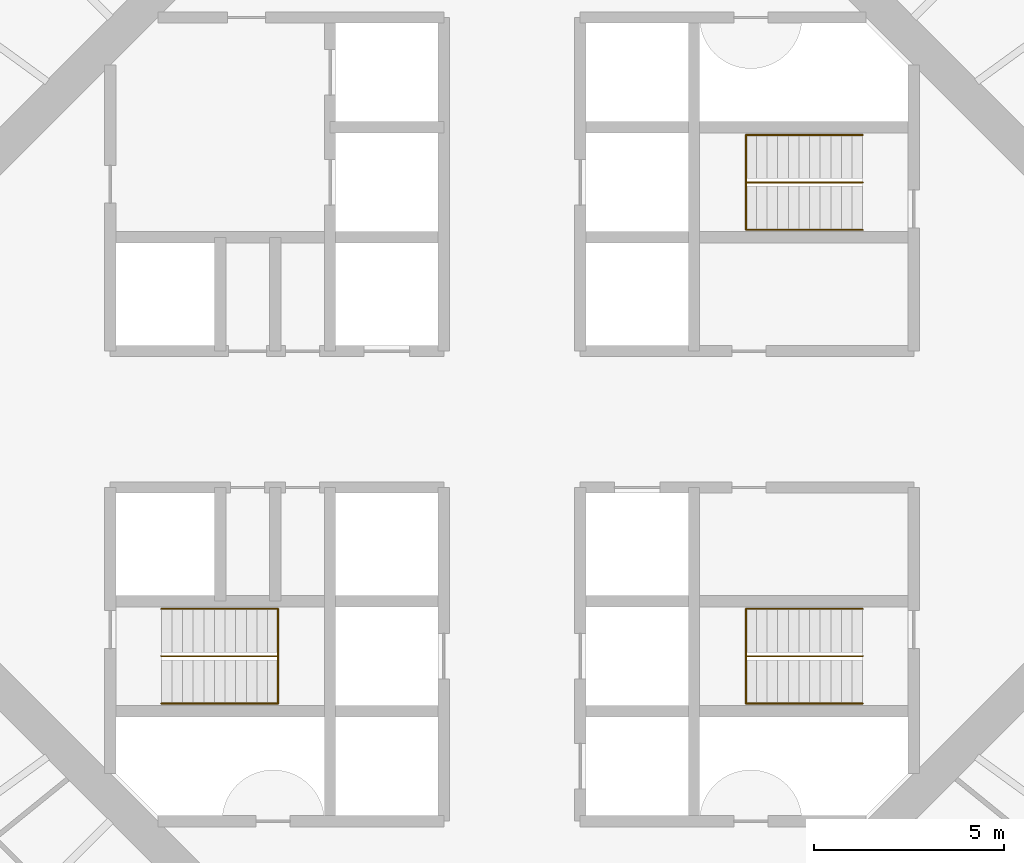
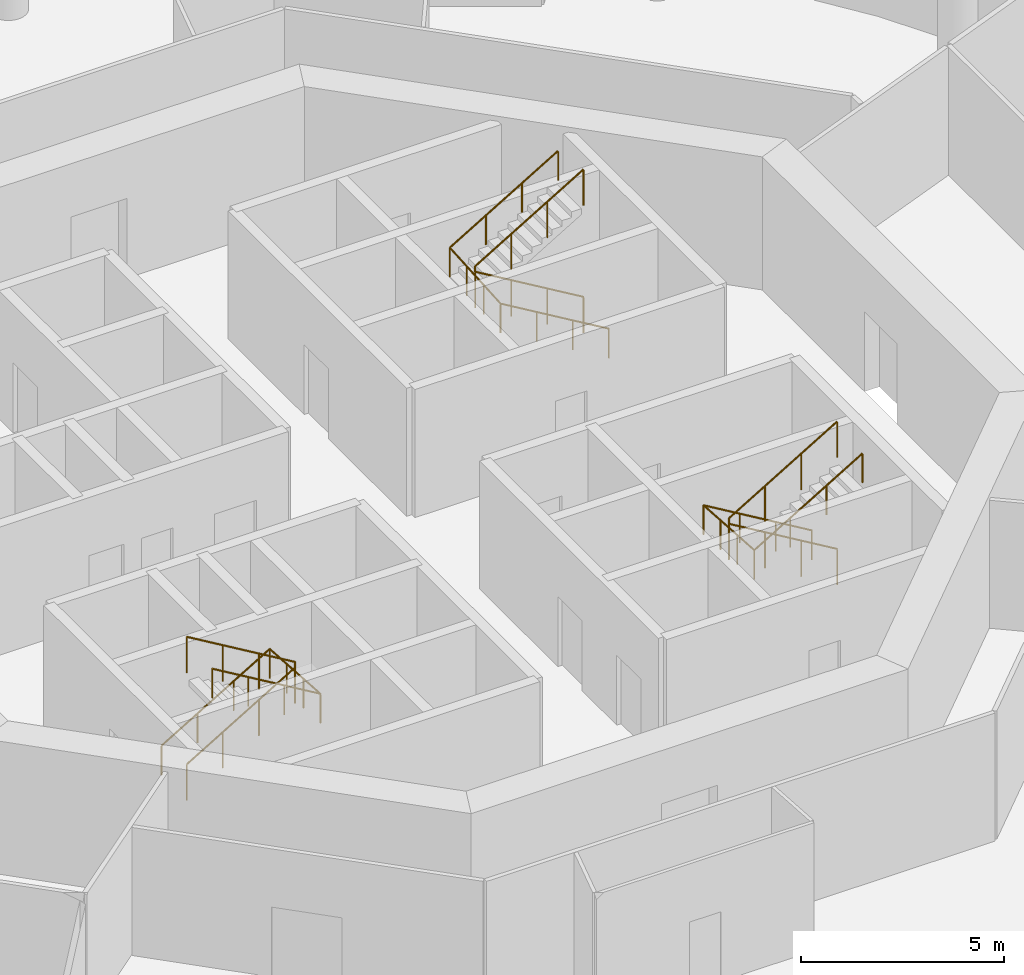
# One storey, part 12 of 12: 6 railings.
"""IFC4 building model written with IfcOpenShell, lengths in metres."""

from ifc_helpers import new_model, si_unit, direction, frame, origin, origin_2d, place, context, subcontext, project, spatial, circle, extrude, material, type_object, element, save


model = new_model("IFC4")

# Units and contexts
model_context = context("Model", 3, precision=1e-05, world=origin(), true_north=direction((0.0, 1.0)))
body_context = subcontext(model_context, "Body", "Model", "MODEL_VIEW")
ifc_project = project(units=[si_unit("LENGTHUNIT", "METRE"), si_unit("AREAUNIT", "SQUARE_METRE"), si_unit("VOLUMEUNIT", "CUBIC_METRE"), si_unit("PLANEANGLEUNIT", "RADIAN"), si_unit("MASSUNIT", "GRAM", prefix="KILO")], contexts=[model_context])

# Site, building, storey
site_placement = place(None, origin())
site = spatial("IfcSite", under=ifc_project, at=site_placement, CompositionType="ELEMENT")
building_placement = place(site_placement, origin())
building = spatial("IfcBuilding", under=site, at=building_placement, Name="Entoto Ring Tower", CompositionType="ELEMENT")
storey_placement = place(building_placement, frame((0.0, 0.0, 246.0)))
storey = spatial("IfcBuildingStorey", under=building, at=storey_placement, Name="L56", CompositionType="ELEMENT", Elevation=246.0)

# Railings
ifc_material_1 = material(Name="Steel S275", Category="steel")
railing_type_1 = type_object("IfcRailingType", Name="Stair guard 1100 mm steel", PredefinedType="GUARDRAIL", material=ifc_material_1)
railing_1_placement = place(storey_placement, frame((99.25, 86.25, 0.166748046875)))
element("IfcRailing", 1, at=railing_1_placement, inside=storey, type_object=railing_type_1, Name="Guard ST1", PredefinedType="GUARDRAIL", context=body_context, shape_type="SweptSolid", body=[
    extrude(circle(Radius=0.02392578125, at=origin_2d()), frame((0.0, 0.0, 1.076171875), z_axis=(-0.859308565015, 0.0, 0.511457515432), x_axis=(0.0, -1.0, 0.0)), (0.0, 0.0, 1.0), 3.58447265625),
    extrude(circle(Radius=0.02392578125, at=origin_2d()), frame((-3.080078125, 0.0, 2.9091796875), z_axis=(0.0, 0.0, 1.0), x_axis=(1.0, 0.0, 0.0)), (0.0, 0.0, 1.0), 0.166748046875),
    extrude(circle(Radius=0.02392578125, at=origin_2d()), frame((-3.080078125, 0.0, 3.076171875), z_axis=(0.859308565015, 0.0, 0.511457515432), x_axis=(0.0, 1.0, 0.0)), (0.0, 0.0, 1.0), 3.58447265625),
    extrude(circle(Radius=0.02099609375, at=origin_2d()), origin(), (0.0, 0.0, 1.0), 1.052001953125),
    extrude(circle(Radius=0.02099609375, at=origin_2d()), frame((-1.026611328125, 0.0, 0.611083984375)), (0.0, 0.0, 1.0), 1.052001953125),
    extrude(circle(Radius=0.02099609375, at=origin_2d()), frame((-2.053466796875, 0.0, 1.22216796875)), (0.0, 0.0, 1.0), 1.052001953125),
    extrude(circle(Radius=0.02099609375, at=origin_2d()), frame((-3.080078125, 0.0, 1.833251953125)), (0.0, 0.0, 1.0), 1.052001953125),
    extrude(circle(Radius=0.02099609375, at=origin_2d()), frame((-3.080078125, 0.0, 2.0)), (0.0, 0.0, 1.0), 1.052001953125),
    extrude(circle(Radius=0.02099609375, at=origin_2d()), frame((-2.053466796875, 0.0, 2.611083984375)), (0.0, 0.0, 1.0), 1.052001953125),
    extrude(circle(Radius=0.02099609375, at=origin_2d()), frame((-1.026611328125, 0.0, 3.22216796875)), (0.0, 0.0, 1.0), 1.052001953125),
    extrude(circle(Radius=0.02099609375, at=origin_2d()), frame((0.0, 0.0, 3.833251953125)), (0.0, 0.0, 1.0), 1.052001953125),
])
railing_2_placement = place(storey_placement, frame((80.75, 73.75, 0.166748046875)))
element("IfcRailing", 2, at=railing_2_placement, inside=storey, type_object=railing_type_1, Name="Guard ST2", PredefinedType="GUARDRAIL", context=body_context, shape_type="SweptSolid", body=[
    extrude(circle(Radius=0.02392578125, at=origin_2d()), frame((0.0, 0.0, 1.076171875), z_axis=(0.859308565015, 0.0, 0.511457515432), x_axis=(0.0, 1.0, 0.0)), (0.0, 0.0, 1.0), 3.58447265625),
    extrude(circle(Radius=0.02392578125, at=origin_2d()), frame((3.080078125, 0.0, 2.9091796875), z_axis=(0.0, 0.0, 1.0), x_axis=(1.0, 0.0, 0.0)), (0.0, 0.0, 1.0), 0.166748046875),
    extrude(circle(Radius=0.02392578125, at=origin_2d()), frame((3.080078125, 0.0, 3.076171875), z_axis=(-0.859308565015, 0.0, 0.511457515432), x_axis=(0.0, -1.0, 0.0)), (0.0, 0.0, 1.0), 3.58447265625),
    extrude(circle(Radius=0.02099609375, at=origin_2d()), origin(), (0.0, 0.0, 1.0), 1.052001953125),
    extrude(circle(Radius=0.02099609375, at=origin_2d()), frame((1.026611328125, 0.0, 0.611083984375)), (0.0, 0.0, 1.0), 1.052001953125),
    extrude(circle(Radius=0.02099609375, at=origin_2d()), frame((2.053466796875, 0.0, 1.22216796875)), (0.0, 0.0, 1.0), 1.052001953125),
    extrude(circle(Radius=0.02099609375, at=origin_2d()), frame((3.080078125, 0.0, 1.833251953125)), (0.0, 0.0, 1.0), 1.052001953125),
    extrude(circle(Radius=0.02099609375, at=origin_2d()), frame((3.080078125, 0.0, 2.0)), (0.0, 0.0, 1.0), 1.052001953125),
    extrude(circle(Radius=0.02099609375, at=origin_2d()), frame((2.053466796875, 0.0, 2.611083984375)), (0.0, 0.0, 1.0), 1.052001953125),
    extrude(circle(Radius=0.02099609375, at=origin_2d()), frame((1.026611328125, 0.0, 3.22216796875)), (0.0, 0.0, 1.0), 1.052001953125),
    extrude(circle(Radius=0.02099609375, at=origin_2d()), frame((0.0, 0.0, 3.833251953125)), (0.0, 0.0, 1.0), 1.052001953125),
])
railing_3_placement = place(storey_placement, frame((99.25, 73.75, 0.166748046875)))
element("IfcRailing", 3, at=railing_3_placement, inside=storey, type_object=railing_type_1, Name="Guard ST3", PredefinedType="GUARDRAIL", context=body_context, shape_type="SweptSolid", body=[
    extrude(circle(Radius=0.02392578125, at=origin_2d()), frame((0.0, 0.0, 1.076171875), z_axis=(-0.859308565015, 0.0, 0.511457515432), x_axis=(0.0, -1.0, 0.0)), (0.0, 0.0, 1.0), 3.58447265625),
    extrude(circle(Radius=0.02392578125, at=origin_2d()), frame((-3.080078125, 0.0, 2.9091796875), z_axis=(0.0, 0.0, 1.0), x_axis=(1.0, 0.0, 0.0)), (0.0, 0.0, 1.0), 0.166748046875),
    extrude(circle(Radius=0.02392578125, at=origin_2d()), frame((-3.080078125, 0.0, 3.076171875), z_axis=(0.859308565015, 0.0, 0.511457515432), x_axis=(0.0, 1.0, 0.0)), (0.0, 0.0, 1.0), 3.58447265625),
    extrude(circle(Radius=0.02099609375, at=origin_2d()), origin(), (0.0, 0.0, 1.0), 1.052001953125),
    extrude(circle(Radius=0.02099609375, at=origin_2d()), frame((-1.026611328125, 0.0, 0.611083984375)), (0.0, 0.0, 1.0), 1.052001953125),
    extrude(circle(Radius=0.02099609375, at=origin_2d()), frame((-2.053466796875, 0.0, 1.22216796875)), (0.0, 0.0, 1.0), 1.052001953125),
    extrude(circle(Radius=0.02099609375, at=origin_2d()), frame((-3.080078125, 0.0, 1.833251953125)), (0.0, 0.0, 1.0), 1.052001953125),
    extrude(circle(Radius=0.02099609375, at=origin_2d()), frame((-3.080078125, 0.0, 2.0)), (0.0, 0.0, 1.0), 1.052001953125),
    extrude(circle(Radius=0.02099609375, at=origin_2d()), frame((-2.053466796875, 0.0, 2.611083984375)), (0.0, 0.0, 1.0), 1.052001953125),
    extrude(circle(Radius=0.02099609375, at=origin_2d()), frame((-1.026611328125, 0.0, 3.22216796875)), (0.0, 0.0, 1.0), 1.052001953125),
    extrude(circle(Radius=0.02099609375, at=origin_2d()), frame((0.0, 0.0, 3.833251953125)), (0.0, 0.0, 1.0), 1.052001953125),
])
ifc_material_2 = material(Name="Steel S275", Category="steel")
railing_type_2 = type_object("IfcRailingType", Name="Stair handrail 900 mm steel", PredefinedType="HANDRAIL", material=ifc_material_2)
railing_4_placement = place(storey_placement, frame((99.25, 85.0, 0.166748046875)))
element("IfcRailing", 4, at=railing_4_placement, inside=storey, type_object=railing_type_2, Name="Handrail ST1", PredefinedType="HANDRAIL", context=body_context, shape_type="SweptSolid", body=[
    extrude(circle(Radius=0.02392578125, at=origin_2d()), frame((0.0, 0.0, 0.8759765625), z_axis=(-0.859308565015, 0.0, 0.511457515432), x_axis=(0.0, -1.0, 0.0)), (0.0, 0.0, 1.0), 3.58447265625),
    extrude(circle(Radius=0.02392578125, at=origin_2d()), frame((-3.080078125, 0.0, 2.708984375), z_axis=(0.0, 0.997783001586, 0.066551346688), x_axis=(-1.0, 0.0, 0.0)), (0.0, 0.0, 1.0), 2.505615234375),
    extrude(circle(Radius=0.02392578125, at=origin_2d()), frame((-3.080078125, 2.5, 2.8759765625), z_axis=(0.859308565015, 0.0, 0.511457515432), x_axis=(0.0, 1.0, 0.0)), (0.0, 0.0, 1.0), 3.58447265625),
    extrude(circle(Radius=0.02099609375, at=origin_2d()), origin(), (0.0, 0.0, 1.0), 0.851806640625),
    extrude(circle(Radius=0.02099609375, at=origin_2d()), frame((-1.026611328125, 0.0, 0.611083984375)), (0.0, 0.0, 1.0), 0.851806640625),
    extrude(circle(Radius=0.02099609375, at=origin_2d()), frame((-2.053466796875, 0.0, 1.22216796875)), (0.0, 0.0, 1.0), 0.851806640625),
    extrude(circle(Radius=0.02099609375, at=origin_2d()), frame((-3.080078125, 0.0, 1.833251953125)), (0.0, 0.0, 1.0), 0.851806640625),
    extrude(circle(Radius=0.02099609375, at=origin_2d()), frame((-3.080078125, 0.833251953125, 1.888916015625)), (0.0, 0.0, 1.0), 0.851806640625),
    extrude(circle(Radius=0.02099609375, at=origin_2d()), frame((-3.080078125, 1.666748046875, 1.9443359375)), (0.0, 0.0, 1.0), 0.851806640625),
    extrude(circle(Radius=0.02099609375, at=origin_2d()), frame((-3.080078125, 2.5, 2.0)), (0.0, 0.0, 1.0), 0.851806640625),
    extrude(circle(Radius=0.02099609375, at=origin_2d()), frame((-2.053466796875, 2.5, 2.611083984375)), (0.0, 0.0, 1.0), 0.851806640625),
    extrude(circle(Radius=0.02099609375, at=origin_2d()), frame((-1.026611328125, 2.5, 3.22216796875)), (0.0, 0.0, 1.0), 0.851806640625),
    extrude(circle(Radius=0.02099609375, at=origin_2d()), frame((0.0, 2.5, 3.833251953125)), (0.0, 0.0, 1.0), 0.851806640625),
])
railing_5_placement = place(storey_placement, frame((80.75, 75.0, 0.166748046875)))
element("IfcRailing", 5, at=railing_5_placement, inside=storey, type_object=railing_type_2, Name="Handrail ST2", PredefinedType="HANDRAIL", context=body_context, shape_type="SweptSolid", body=[
    extrude(circle(Radius=0.02392578125, at=origin_2d()), frame((0.0, 0.0, 0.8759765625), z_axis=(0.859308565015, 0.0, 0.511457515432), x_axis=(0.0, 1.0, 0.0)), (0.0, 0.0, 1.0), 3.58447265625),
    extrude(circle(Radius=0.02392578125, at=origin_2d()), frame((3.080078125, 0.0, 2.708984375), z_axis=(0.0, -0.997783001586, 0.066551346688), x_axis=(1.0, 0.0, 0.0)), (0.0, 0.0, 1.0), 2.505615234375),
    extrude(circle(Radius=0.02392578125, at=origin_2d()), frame((3.080078125, -2.5, 2.8759765625), z_axis=(-0.859308565015, 0.0, 0.511457515432), x_axis=(0.0, -1.0, 0.0)), (0.0, 0.0, 1.0), 3.58447265625),
    extrude(circle(Radius=0.02099609375, at=origin_2d()), origin(), (0.0, 0.0, 1.0), 0.851806640625),
    extrude(circle(Radius=0.02099609375, at=origin_2d()), frame((1.026611328125, 0.0, 0.611083984375)), (0.0, 0.0, 1.0), 0.851806640625),
    extrude(circle(Radius=0.02099609375, at=origin_2d()), frame((2.053466796875, 0.0, 1.22216796875)), (0.0, 0.0, 1.0), 0.851806640625),
    extrude(circle(Radius=0.02099609375, at=origin_2d()), frame((3.080078125, 0.0, 1.833251953125)), (0.0, 0.0, 1.0), 0.851806640625),
    extrude(circle(Radius=0.02099609375, at=origin_2d()), frame((3.080078125, -0.833251953125, 1.888916015625)), (0.0, 0.0, 1.0), 0.851806640625),
    extrude(circle(Radius=0.02099609375, at=origin_2d()), frame((3.080078125, -1.666748046875, 1.9443359375)), (0.0, 0.0, 1.0), 0.851806640625),
    extrude(circle(Radius=0.02099609375, at=origin_2d()), frame((3.080078125, -2.5, 2.0)), (0.0, 0.0, 1.0), 0.851806640625),
    extrude(circle(Radius=0.02099609375, at=origin_2d()), frame((2.053466796875, -2.5, 2.611083984375)), (0.0, 0.0, 1.0), 0.851806640625),
    extrude(circle(Radius=0.02099609375, at=origin_2d()), frame((1.026611328125, -2.5, 3.22216796875)), (0.0, 0.0, 1.0), 0.851806640625),
    extrude(circle(Radius=0.02099609375, at=origin_2d()), frame((0.0, -2.5, 3.833251953125)), (0.0, 0.0, 1.0), 0.851806640625),
])
railing_6_placement = place(storey_placement, frame((99.25, 75.0, 0.166748046875)))
element("IfcRailing", 6, at=railing_6_placement, inside=storey, type_object=railing_type_2, Name="Handrail ST3", PredefinedType="HANDRAIL", context=body_context, shape_type="SweptSolid", body=[
    extrude(circle(Radius=0.02392578125, at=origin_2d()), frame((0.0, 0.0, 0.8759765625), z_axis=(-0.859308565015, 0.0, 0.511457515432), x_axis=(0.0, -1.0, 0.0)), (0.0, 0.0, 1.0), 3.58447265625),
    extrude(circle(Radius=0.02392578125, at=origin_2d()), frame((-3.080078125, 0.0, 2.708984375), z_axis=(0.0, -0.997783001586, 0.066551346688), x_axis=(1.0, 0.0, 0.0)), (0.0, 0.0, 1.0), 2.505615234375),
    extrude(circle(Radius=0.02392578125, at=origin_2d()), frame((-3.080078125, -2.5, 2.8759765625), z_axis=(0.859308565015, 0.0, 0.511457515432), x_axis=(0.0, 1.0, 0.0)), (0.0, 0.0, 1.0), 3.58447265625),
    extrude(circle(Radius=0.02099609375, at=origin_2d()), origin(), (0.0, 0.0, 1.0), 0.851806640625),
    extrude(circle(Radius=0.02099609375, at=origin_2d()), frame((-1.026611328125, 0.0, 0.611083984375)), (0.0, 0.0, 1.0), 0.851806640625),
    extrude(circle(Radius=0.02099609375, at=origin_2d()), frame((-2.053466796875, 0.0, 1.22216796875)), (0.0, 0.0, 1.0), 0.851806640625),
    extrude(circle(Radius=0.02099609375, at=origin_2d()), frame((-3.080078125, 0.0, 1.833251953125)), (0.0, 0.0, 1.0), 0.851806640625),
    extrude(circle(Radius=0.02099609375, at=origin_2d()), frame((-3.080078125, -0.833251953125, 1.888916015625)), (0.0, 0.0, 1.0), 0.851806640625),
    extrude(circle(Radius=0.02099609375, at=origin_2d()), frame((-3.080078125, -1.666748046875, 1.9443359375)), (0.0, 0.0, 1.0), 0.851806640625),
    extrude(circle(Radius=0.02099609375, at=origin_2d()), frame((-3.080078125, -2.5, 2.0)), (0.0, 0.0, 1.0), 0.851806640625),
    extrude(circle(Radius=0.02099609375, at=origin_2d()), frame((-2.053466796875, -2.5, 2.611083984375)), (0.0, 0.0, 1.0), 0.851806640625),
    extrude(circle(Radius=0.02099609375, at=origin_2d()), frame((-1.026611328125, -2.5, 3.22216796875)), (0.0, 0.0, 1.0), 0.851806640625),
    extrude(circle(Radius=0.02099609375, at=origin_2d()), frame((0.0, -2.5, 3.833251953125)), (0.0, 0.0, 1.0), 0.851806640625),
])

save(model, "model.ifc")
